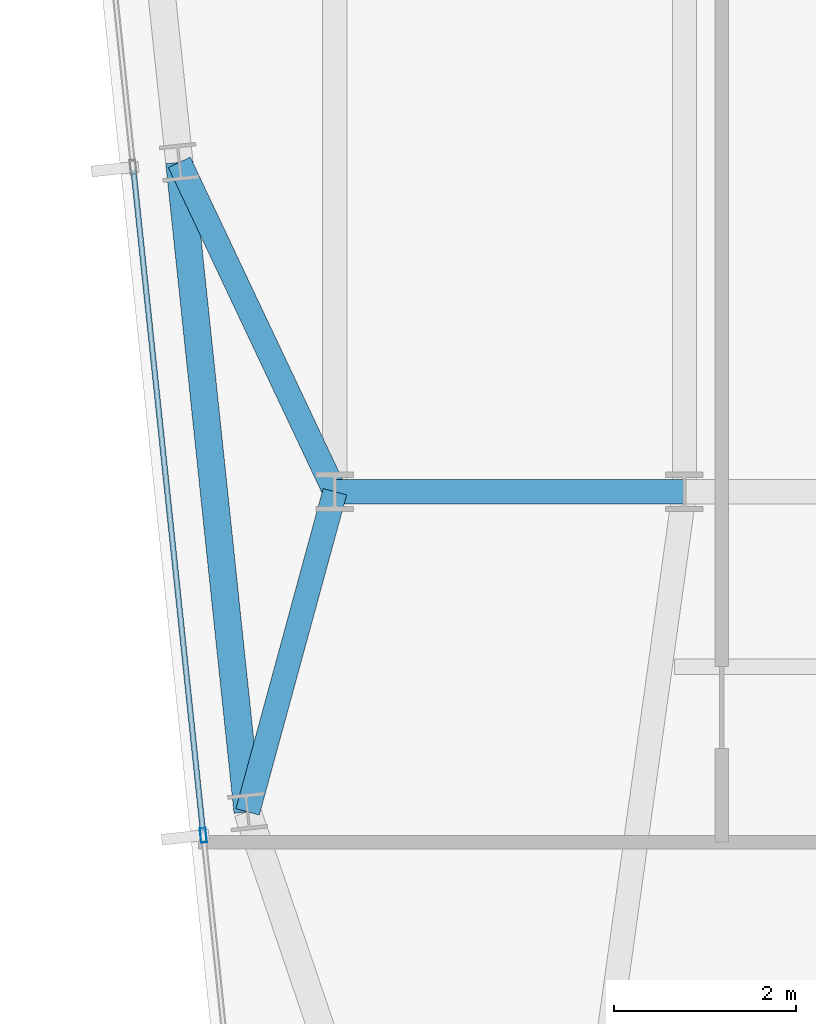
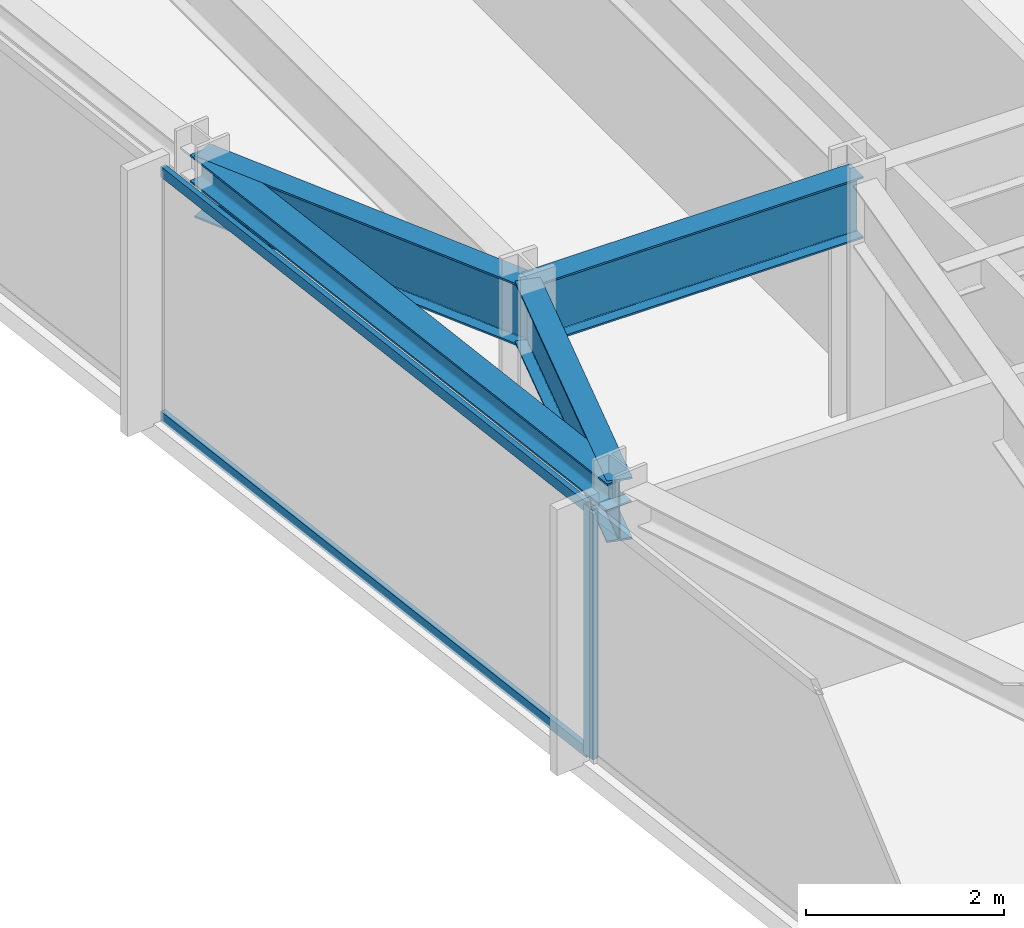
# One storey, part 5 of 33: 4 beams, 3 members, 1 element without a shape of its own.
"""IFC4 building model written with IfcOpenShell, lengths in metres."""

import ifcopenshell
import ifcopenshell.guid

model = None  # the IFC model being written
_history = None  # IfcOwnerHistory: only IFC2X3 demands one
_inside = {}  # id of a spatial element -> (the spatial element, [elements in it])
_under = {}  # id of a project, library or spatial element -> (it, [spatial elements below it])
_declared = {}  # id of a project -> (the project, [libraries it declares])
_typed = {}  # id of a type object -> (the type object, [elements of that type])
_made_of = {}  # id of a material, layer set ... -> (it, [elements and type objects made of it])


def new_model(schema):
    """Start an empty IFC model of exactly this schema.

    Asked for "IFC4X3", IfcOpenShell would pick the latest addendum, in which some entities
    have other attributes; the version numbers below select the first issue.
    IFC2X3 requires an IfcOwnerHistory on every rooted entity: one is made here for all.
    """
    global model, _history
    if schema == "IFC4X3":
        model = ifcopenshell.file(schema_version=(4, 3, 0, 0))
    else:
        model = ifcopenshell.file(schema=schema)
    _inside.clear()
    _under.clear()
    _declared.clear()
    _typed.clear()
    _made_of.clear()
    _history = None
    if model.schema == "IFC2X3":
        org = make("IfcOrganization", Name="unknown")
        user = make(
            "IfcPersonAndOrganization",
            ThePerson=make("IfcPerson", FamilyName="unknown"),
            TheOrganization=org,
        )
        app = make(
            "IfcApplication",
            ApplicationDeveloper=org,
            Version="unknown",
            ApplicationFullName="unknown",
            ApplicationIdentifier="unknown",
        )
        _history = make(
            "IfcOwnerHistory",
            OwningUser=user,
            OwningApplication=app,
            ChangeAction="ADDED",
            CreationDate=0,
        )
    return model


def make(cls, **values):
    """One entity of the class cls with the attributes given. An attribute that is None is left unset."""
    return model.create_entity(
        cls, **{name: value for name, value in values.items() if value is not None}
    )


def rooted(cls, **values):
    """An entity with a GlobalId (a new one), such as an element, a storey or a relation."""
    return make(cls, GlobalId=ifcopenshell.guid.new(), OwnerHistory=_history, **values)


def si_unit(unit_type, name, prefix=None):
    """IfcSIUnit, for example si_unit("LENGTHUNIT", "METRE", prefix="MILLI")."""
    return make("IfcSIUnit", UnitType=unit_type, Prefix=prefix, Name=name)


def assignment(units):
    """IfcUnitAssignment: the units of a project."""
    return None if units is None else make("IfcUnitAssignment", Units=units)


def point(xyz):
    """IfcCartesianPoint."""
    return None if xyz is None else make("IfcCartesianPoint", Coordinates=xyz)


def direction(xyz):
    """IfcDirection."""
    return None if xyz is None else make("IfcDirection", DirectionRatios=xyz)


def frame(location, z_axis=None, x_axis=None):
    """IfcAxis2Placement3D, a coordinate frame: its origin and axes. An axis left out is left unset."""
    return make(
        "IfcAxis2Placement3D",
        Location=point(location),
        Axis=direction(z_axis),
        RefDirection=direction(x_axis),
    )


def frame_2d(location, x_axis=None):
    """IfcAxis2Placement2D, a coordinate frame in the plane: its origin and x axis."""
    return make(
        "IfcAxis2Placement2D", Location=point(location), RefDirection=direction(x_axis)
    )


def origin():
    """The frame at (0, 0, 0) with its axes left unset."""
    return frame((0.0, 0.0, 0.0))


def origin_2d():
    """The frame at (0, 0) in the plane with its x axis left unset."""
    return frame_2d((0.0, 0.0))


def place(relative_to, where):
    """IfcLocalPlacement: puts the frame where relative to a parent placement (None: the world)."""
    return make(
        "IfcLocalPlacement", PlacementRelTo=relative_to, RelativePlacement=where
    )


def context(
    kind, dimensions, precision=None, world=None, true_north=None, identifier=None
):
    """IfcGeometricRepresentationContext, for example the 3D "Model" context."""
    return make(
        "IfcGeometricRepresentationContext",
        ContextIdentifier=identifier,
        ContextType=kind,
        CoordinateSpaceDimension=dimensions,
        Precision=precision,
        WorldCoordinateSystem=world,
        TrueNorth=true_north,
    )


def subcontext(parent, identifier, kind, view, scale=None):
    """IfcGeometricRepresentationSubContext, for example "Body" below "Model"."""
    return make(
        "IfcGeometricRepresentationSubContext",
        ContextIdentifier=identifier,
        ContextType=kind,
        ParentContext=parent,
        TargetScale=scale,
        TargetView=view,
    )


def project(units=None, contexts=None):
    """IfcProject with its units and contexts."""
    return rooted(
        "IfcProject",
        Name="project",
        RepresentationContexts=contexts,
        UnitsInContext=assignment(units),
    )


def spatial(cls, under=None, at=None, **own):
    """A site, building, storey or space (cls), placed at a placement, below another one or the project."""
    s = rooted(cls, ObjectPlacement=at, **own)
    if under is not None:
        _under.setdefault(under.id(), (under, []))[1].append(s)
    return s


def profile(cls, at=None, kind="AREA", **sizes):
    """A parametric profile (cls). Its sizes go by their IFC names, for example OverallWidth=200.0."""
    return make(cls, ProfileType=kind, Position=at, **sizes)


def hollow_rectangle(**sizes):
    """IfcRectangleHollowProfileDef."""
    return profile("IfcRectangleHollowProfileDef", **sizes)


def i_section(**sizes):
    """IfcIShapeProfileDef."""
    return profile("IfcIShapeProfileDef", **sizes)


def extrude(swept, where, along, depth):
    """IfcExtrudedAreaSolid: the profile swept, set in the frame where, extruded along a direction by depth."""
    return make(
        "IfcExtrudedAreaSolid",
        SweptArea=swept,
        Position=where,
        ExtrudedDirection=direction(along),
        Depth=depth,
    )


def shape(context_of_items, identifier, shape_type, items):
    """IfcShapeRepresentation: the items that make up one representation, for example the "Body"."""
    return make(
        "IfcShapeRepresentation",
        ContextOfItems=context_of_items,
        RepresentationIdentifier=identifier,
        RepresentationType=shape_type,
        Items=items,
    )


def material(Name=None, Category=None):
    """IfcMaterial."""
    return make("IfcMaterial", Name=Name, Category=Category)


def material_profile(
    of_material, cross_section, Name=None, Category=None, Priority=None
):
    """IfcMaterialProfile: a cross section and its material."""
    return make(
        "IfcMaterialProfile",
        Name=Name,
        Material=of_material,
        Profile=cross_section,
        Priority=Priority,
        Category=Category,
    )


def profile_set(profiles, Name=None, composite=None):
    """IfcMaterialProfileSet."""
    return make(
        "IfcMaterialProfileSet",
        Name=Name,
        MaterialProfiles=profiles,
        CompositeProfile=composite,
    )


def made_of(thing, what):
    """Note that an element or type object is made of a material, layer set ...; save() writes the relation."""
    if what is not None:
        _made_of.setdefault(what.id(), (what, []))[1].append(thing)
    return thing


def type_object(cls, material=None, **own):
    """A type object (cls), such as IfcWallType, which elements share."""
    return made_of(rooted(cls, **own), material)


def element(
    cls,
    number,
    at=None,
    inside=None,
    cuts=None,
    type_object=None,
    material=None,
    context=None,
    identifier="Body",
    shape_type=None,
    held_by="IfcProductDefinitionShape",
    body=None,
    shapes=None,
    **own,
):
    """One element of the class cls, such as IfcWall. Its Tag is "e" and its number.

    at: its placement. inside: the storey or other place that contains it. cuts: it is an
    opening in that element (IfcRelVoidsElement). A single representation is given by context,
    identifier, shape_type and body (its items); several are given by shapes. held_by: the class
    of the entity that holds the representations. save() writes the other relations.
    """
    e = rooted(cls, Tag="e%d" % number, ObjectPlacement=at, **own)
    if body is not None:
        shapes = [shape(context, identifier, shape_type, body)]
    if shapes is not None:
        e.Representation = make(held_by, Representations=shapes)
    if inside is not None:
        _inside.setdefault(inside.id(), (inside, []))[1].append(e)
    if cuts is not None:
        rooted(
            "IfcRelVoidsElement", RelatingBuildingElement=cuts, RelatedOpeningElement=e
        )
    if type_object is not None:
        _typed.setdefault(type_object.id(), (type_object, []))[1].append(e)
    return made_of(e, material)


def aggregate(whole, parts):
    """IfcRelAggregates: a whole, such as a stair, and the parts it consists of."""
    return rooted("IfcRelAggregates", RelatingObject=whole, RelatedObjects=parts)


def save(model, path):
    """Write the relations noted so far, then the file.

    IfcRelAggregates (storeys below a building ...), IfcRelContainedInSpatialStructure (elements
    in a storey), IfcRelDefinesByType, IfcRelAssociatesMaterial and IfcRelDeclares: one each for
    every whole, place, type object, material and project.
    """
    for whole, parts in _under.values():
        aggregate(whole, parts)
    for where, things in _inside.values():
        rooted(
            "IfcRelContainedInSpatialStructure",
            RelatedElements=things,
            RelatingStructure=where,
        )
    for kind, things in _typed.values():
        rooted("IfcRelDefinesByType", RelatedObjects=things, RelatingType=kind)
    for what, things in _made_of.values():
        rooted("IfcRelAssociatesMaterial", RelatedObjects=things, RelatingMaterial=what)
    for by, libraries in _declared.values():
        rooted("IfcRelDeclares", RelatingContext=by, RelatedDefinitions=libraries)
    model.write(path)


model = new_model("IFC4")

# Units and contexts
model_context = context("Model", 3, precision=1e-05, world=origin(), true_north=direction((0.0, 1.0)))
body_context = subcontext(model_context, "Body", "Model", "MODEL_VIEW")
ifc_project = project(units=[si_unit("LENGTHUNIT", "METRE"), si_unit("AREAUNIT", "SQUARE_METRE"), si_unit("VOLUMEUNIT", "CUBIC_METRE"), si_unit("PLANEANGLEUNIT", "RADIAN"), si_unit("MASSUNIT", "GRAM", prefix="KILO")], contexts=[model_context])

# Site, building, storey
site_placement = place(None, origin())
site = spatial("IfcSite", under=ifc_project, at=site_placement, CompositionType="ELEMENT")
building_placement = place(site_placement, origin())
building = spatial("IfcBuilding", under=site, at=building_placement, Name="Yelkora Congress Tower", CompositionType="ELEMENT")
storey_placement = place(building_placement, frame((0.0, 0.0, 227.60009765625)))
storey = spatial("IfcBuildingStorey", under=building, at=storey_placement, Name="L63", CompositionType="ELEMENT", Elevation=227.60009765625)

# Beams
ifc_material_1 = material(Name="Steel S355J2", Category="steel")
ifc_material_profile_1 = material_profile(ifc_material_1, i_section(OverallWidth=0.26708984375, OverallDepth=0.761962890625, WebThickness=0.014404296875, FlangeThickness=0.021484375, FilletRadius=0.01708984375, at=origin_2d()), Name="IPE 750x173")
ifc_profile_set_1 = profile_set([ifc_material_profile_1], Name="Steel S355J2")
beam_type_1 = type_object("IfcBeamType", Name="BM-GIRD-IPE750", PredefinedType="BEAM", material=ifc_profile_set_1)
beam_1_placement = place(storey_placement, frame((19.199951171875, 25.199951171875, 2.698974609375), z_axis=(1.0, 0.0, 0.0), x_axis=(0.0, 1.0, 0.0)))
element("IfcBeam", 1, at=beam_1_placement, inside=storey, type_object=beam_type_1, Name="L63 Spine Grid D Girder 1", PredefinedType="BEAM", context=body_context, shape_type="SweptSolid", body=[
    extrude(i_section(OverallWidth=0.26708984375, OverallDepth=0.761962890625, WebThickness=0.014404296875, FlangeThickness=0.021484375, FilletRadius=0.01708984375, at=origin_2d()), origin(), (0.0, 0.0, 1.0), 3.840087890625),
])
beam_2_placement = place(storey_placement, frame((18.2412109375, 21.68310546875, 2.698974609375), z_axis=(0.263015394472, 0.964791636713, 0.0), x_axis=(-0.964791636713, 0.263015394472, 0.0)))
element("IfcBeam", 2, at=beam_2_placement, inside=storey, type_object=beam_type_1, Name="L63 Primary Frame Girder W01", PredefinedType="BEAM", context=body_context, shape_type="SweptSolid", body=[
    extrude(i_section(OverallWidth=0.26708984375, OverallDepth=0.761962890625, WebThickness=0.014404296875, FlangeThickness=0.021484375, FilletRadius=0.01708984375, at=origin_2d()), origin(), (0.0, 0.0, 1.0), 3.645263671875),
])
beam_3_placement = place(storey_placement, frame((17.4912109375, 28.81884765625, 2.698974609375), z_axis=(0.426968894221, -0.904266312193, 0.0), x_axis=(0.904266312193, 0.426968894221, 0.0)))
element("IfcBeam", 3, at=beam_3_placement, inside=storey, type_object=beam_type_1, Name="L63 Primary Frame Girder W02", PredefinedType="BEAM", context=body_context, shape_type="SweptSolid", body=[
    extrude(i_section(OverallWidth=0.26708984375, OverallDepth=0.761962890625, WebThickness=0.014404296875, FlangeThickness=0.021484375, FilletRadius=0.01708984375, at=origin_2d()), origin(), (0.0, 0.0, 1.0), 4.001953125),
])
ifc_material_profile_2 = material_profile(ifc_material_1, i_section(OverallWidth=0.300048828125, OverallDepth=0.340087890625, WebThickness=0.011962890625, FlangeThickness=0.021484375, FilletRadius=0.027099609375, at=origin_2d()), Name="HEB 340")
ifc_profile_set_2 = profile_set([ifc_material_profile_2], Name="Steel S355J2")
beam_type_2 = type_object("IfcBeamType", Name="BM-SPAN-HEB340", PredefinedType="SPANDREL", material=ifc_profile_set_2)
beam_4_placement = place(storey_placement, frame((17.4912109375, 28.81884765625, 2.909912109375), z_axis=(0.104528914631, -0.994521847928, 0.0), x_axis=(0.994521847928, 0.104528914631, 0.0)))
element("IfcBeam", 4, at=beam_4_placement, inside=storey, type_object=beam_type_2, Name="L63 Perimeter Beam 1", PredefinedType="SPANDREL", context=body_context, shape_type="SweptSolid", body=[
    extrude(i_section(OverallWidth=0.300048828125, OverallDepth=0.340087890625, WebThickness=0.011962890625, FlangeThickness=0.021484375, FilletRadius=0.027099609375, at=origin_2d()), origin(), (0.0, 0.0, 1.0), 7.175048828125),
])

# Curtain wall, members
ifc_material_2 = material(Name="Anodised aluminium and insulated glass", Category="aluminium")
curtain_wall_type = type_object("IfcCurtainWallType", Name="CW-SYS-B4", PredefinedType="NOTDEFINED", material=ifc_material_2)
curtain_wall_placement = place(storey_placement, origin())
curtain_wall = element("IfcCurtainWall", 5, at=curtain_wall_placement, inside=storey, type_object=curtain_wall_type, Name="L63 Unitised Curtain Wall 5", PredefinedType="NOTDEFINED")
ifc_material_3 = material(Name="Anodised aluminium 6063-T6", Category="aluminium")
ifc_material_profile_3 = material_profile(ifc_material_3, hollow_rectangle(XDim=0.06494140625, YDim=0.159912109375, WallThickness=0.00390625, at=origin_2d()), Name="ALU 65x160x4")
ifc_profile_set_3 = profile_set([ifc_material_profile_3], Name="Anodised aluminium 6063-T6")
member_type_1 = type_object("IfcMemberType", Name="MEM-ML-B4", PredefinedType="MULLION", material=ifc_profile_set_3)
member_1_placement = place(storey_placement, frame((17.75537109375, 21.426025390625, 0.0), z_axis=(0.0, 0.0, 1.0), x_axis=(-0.994522145958, -0.104526079034, 0.0)))
member_1 = element("IfcMember", 6, at=member_1_placement, type_object=member_type_1, Name="CW-B4 mullion 2", PredefinedType="MULLION", context=body_context, shape_type="SweptSolid", body=[
    extrude(hollow_rectangle(XDim=0.06494140625, YDim=0.159912109375, WallThickness=0.00390625, at=origin_2d()), origin(), (0.0, 0.0, 1.0), 3.079833984375),
])
ifc_material_profile_4 = material_profile(ifc_material_3, hollow_rectangle(XDim=0.06005859375, YDim=0.1298828125, WallThickness=0.00390625, at=origin_2d()), Name="ALU 60x130x4")
ifc_profile_set_4 = profile_set([ifc_material_profile_4], Name="Anodised aluminium 6063-T6")
member_type_2 = type_object("IfcMemberType", Name="MEM-TR-B4", PredefinedType="USERDEFINED", material=ifc_profile_set_4)
member_2_placement = place(storey_placement, frame((17.751953125, 21.458251953125, 0.02978515625), z_axis=(-0.104528426736, 0.994521899208, 0.0), x_axis=(-0.994521899208, -0.104528426736, 0.0)))
member_2 = element("IfcMember", 7, at=member_2_placement, type_object=member_type_2, Name="CW-B4 transom 2.1", ObjectType="TRANSOM", PredefinedType="USERDEFINED", context=body_context, shape_type="SweptSolid", body=[
    extrude(hollow_rectangle(XDim=0.06005859375, YDim=0.1298828125, WallThickness=0.00390625, at=origin_2d()), origin(), (0.0, 0.0, 1.0), 7.315185546875),
])
member_3_placement = place(storey_placement, frame((17.751953125, 21.458251953125, 3.0498046875), z_axis=(-0.104528426736, 0.994521899208, 0.0), x_axis=(-0.994521899208, -0.104528426736, 0.0)))
member_3 = element("IfcMember", 8, at=member_3_placement, type_object=member_type_2, Name="CW-B4 transom 2.2", ObjectType="TRANSOM", PredefinedType="USERDEFINED", context=body_context, shape_type="SweptSolid", body=[
    extrude(hollow_rectangle(XDim=0.06005859375, YDim=0.1298828125, WallThickness=0.00390625, at=origin_2d()), origin(), (0.0, 0.0, 1.0), 7.315185546875),
])
aggregate(curtain_wall, [member_1, member_2, member_3])

save(model, "model.ifc")
